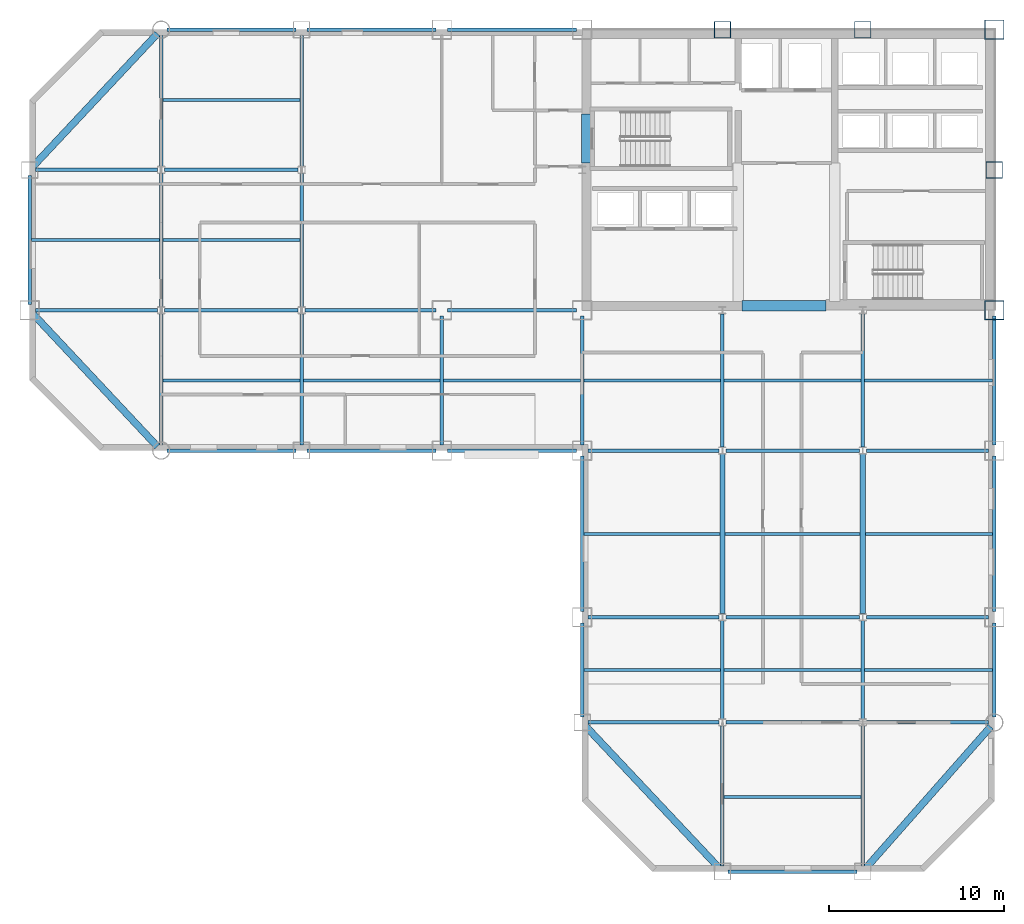
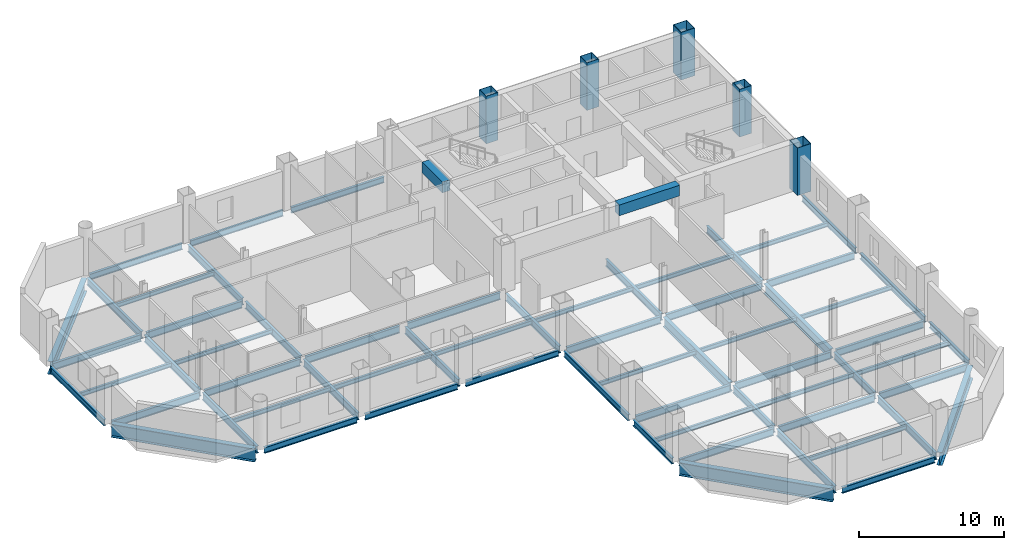
# One storey, part 4 of 10: 66 beams, 5 columns.
"""IFC4 building model written with IfcOpenShell, lengths in metres."""

from ifc_helpers import new_model, si_unit, direction, frame, origin, origin_2d, place, context, subcontext, project, spatial, rectangle, hollow_rectangle, i_section, extrude, material, material_profile, profile_set, type_object, element, save


model = new_model("IFC4")

# Units and contexts
model_context = context("Model", 3, precision=1e-05, world=origin(), true_north=direction((0.0, 1.0)))
body_context = subcontext(model_context, "Body", "Model", "MODEL_VIEW")
ifc_project = project(units=[si_unit("LENGTHUNIT", "METRE"), si_unit("AREAUNIT", "SQUARE_METRE"), si_unit("VOLUMEUNIT", "CUBIC_METRE"), si_unit("PLANEANGLEUNIT", "RADIAN"), si_unit("MASSUNIT", "GRAM", prefix="KILO")], contexts=[model_context])

# Site, building, storey
site_placement = place(None, origin())
site = spatial("IfcSite", under=ifc_project, at=site_placement, CompositionType="ELEMENT")
building_placement = place(site_placement, origin())
building = spatial("IfcBuilding", under=site, at=building_placement, Name="Qianrong Seaharbour Tower", CompositionType="ELEMENT")
storey_placement = place(building_placement, frame((0.0, 0.0, 139.0)))
storey = spatial("IfcBuildingStorey", under=building, at=storey_placement, Name="L33", CompositionType="ELEMENT", Elevation=139.0)

# Columns
ifc_material_1 = material(Name="Structural steel SN490B", Category="steel")
ifc_material_profile_1 = material_profile(ifc_material_1, hollow_rectangle(XDim=1.10009765625, YDim=1.10009765625, WallThickness=0.0400390625, at=origin_2d()), Name="BOX1100x1100x40")
ifc_profile_set_1 = profile_set([ifc_material_profile_1], Name="Structural steel SN490B")
column_type_1 = type_object("IfcColumnType", Name="COL-CFT-1100", PredefinedType="COLUMN", material=ifc_profile_set_1)
for number, where, z_axis, x_axis, name in (
    (1, (64.0, 36.0, 0.0), (0.0, 0.0, 1.0), (1.0, 0.0, 0.0), "L33 Column MC-3 at G9/GF"),
    (2, (64.0, 52.0, 0.0), (0.0, 0.0, 1.0), (1.0, 0.0, 0.0), "L33 Column MC-3 at G9/GH"),
):
    element("IfcColumn", number, at=place(storey_placement, frame(where, z_axis=z_axis, x_axis=x_axis)), inside=storey, type_object=column_type_1, Name=name, PredefinedType="COLUMN", context=body_context, shape_type="SweptSolid", body=[
        extrude(hollow_rectangle(XDim=1.10009765625, YDim=1.10009765625, WallThickness=0.0400390625, at=origin_2d()), origin(), (0.0, 0.0, 1.0), 4.0),
    ])
ifc_material_profile_2 = material_profile(ifc_material_1, hollow_rectangle(XDim=0.949951171875, YDim=0.949951171875, WallThickness=0.035888671875, at=origin_2d()), Name="BOX950x950x36")
ifc_profile_set_2 = profile_set([ifc_material_profile_2], Name="Structural steel SN490B")
column_type_2 = type_object("IfcColumnType", Name="COL-PER-950", PredefinedType="COLUMN", material=ifc_profile_set_2)
for number, where, z_axis, x_axis, name in (
    (3, (48.5, 52.0, 0.0), (0.0, 0.0, 1.0), (1.0, 0.0, 0.0), "L33 Column PC-2 at G7/GH"),
    (4, (56.5, 52.0, 0.0), (0.0, 0.0, 1.0), (1.0, 0.0, 0.0), "L33 Column PC-2 at G8/GH"),
    (5, (64.0, 44.0, 0.0), (0.0, 0.0, 1.0), (1.0, 0.0, 0.0), "L33 Column PC-2 at G9/GG"),
):
    element("IfcColumn", number, at=place(storey_placement, frame(where, z_axis=z_axis, x_axis=x_axis)), inside=storey, type_object=column_type_2, Name=name, PredefinedType="COLUMN", context=body_context, shape_type="SweptSolid", body=[
        extrude(hollow_rectangle(XDim=0.949951171875, YDim=0.949951171875, WallThickness=0.035888671875, at=origin_2d()), origin(), (0.0, 0.0, 1.0), 4.0),
    ])

# Beams
ifc_material_profile_3 = material_profile(ifc_material_1, i_section(OverallWidth=0.199951171875, OverallDepth=0.60009765625, WebThickness=0.010986328125, FlangeThickness=0.01708984375, FilletRadius=0.02197265625, at=origin_2d()), Name="H600x200x11x17")
ifc_profile_set_3 = profile_set([ifc_material_profile_3], Name="Structural steel SN490B")
beam_type_1 = type_object("IfcBeamType", Name="BM-G-600", PredefinedType="BEAM", material=ifc_profile_set_3)
beam_1_placement = place(storey_placement, frame((40.820068359375, 12.5, -0.534912109375), z_axis=(1.0, 0.0, 0.0), x_axis=(0.0, 1.0, 0.0)))
element("IfcBeam", 6, at=beam_1_placement, inside=storey, type_object=beam_type_1, Name="L33 Primary Girder GC G6-G7", PredefinedType="BEAM", context=body_context, shape_type="SweptSolid", body=[
    extrude(i_section(OverallWidth=0.199951171875, OverallDepth=0.60009765625, WebThickness=0.010986328125, FlangeThickness=0.01708984375, FilletRadius=0.02197265625, at=origin_2d()), origin(), (0.0, 0.0, 1.0), 7.47998046875),
])
beam_2_placement = place(storey_placement, frame((48.699951171875, 12.5, -0.534912109375), z_axis=(1.0, 0.0, 0.0), x_axis=(0.0, 1.0, 0.0)))
element("IfcBeam", 7, at=beam_2_placement, inside=storey, type_object=beam_type_1, Name="L33 Primary Girder GC G7-G8", PredefinedType="BEAM", context=body_context, shape_type="SweptSolid", body=[
    extrude(i_section(OverallWidth=0.199951171875, OverallDepth=0.60009765625, WebThickness=0.010986328125, FlangeThickness=0.01708984375, FilletRadius=0.02197265625, at=origin_2d()), origin(), (0.0, 0.0, 1.0), 7.60009765625),
])
beam_3_placement = place(storey_placement, frame((56.699951171875, 12.5, -0.534912109375), z_axis=(1.0, 0.0, 0.0), x_axis=(0.0, 1.0, 0.0)))
element("IfcBeam", 8, at=beam_3_placement, inside=storey, type_object=beam_type_1, Name="L33 Primary Girder GC G8-G9", PredefinedType="BEAM", context=body_context, shape_type="SweptSolid", body=[
    extrude(i_section(OverallWidth=0.199951171875, OverallDepth=0.60009765625, WebThickness=0.010986328125, FlangeThickness=0.01708984375, FilletRadius=0.02197265625, at=origin_2d()), origin(), (0.0, 0.0, 1.0), 6.97998046875),
])
beam_4_placement = place(storey_placement, frame((40.820068359375, 18.5, -0.534912109375), z_axis=(1.0, 0.0, 0.0), x_axis=(0.0, 1.0, 0.0)))
element("IfcBeam", 9, at=beam_4_placement, inside=storey, type_object=beam_type_1, Name="L33 Primary Girder GD G6-G7", PredefinedType="BEAM", context=body_context, shape_type="SweptSolid", body=[
    extrude(i_section(OverallWidth=0.199951171875, OverallDepth=0.60009765625, WebThickness=0.010986328125, FlangeThickness=0.01708984375, FilletRadius=0.02197265625, at=origin_2d()), origin(), (0.0, 0.0, 1.0), 7.47998046875),
])
beam_5_placement = place(storey_placement, frame((48.699951171875, 18.5, -0.534912109375), z_axis=(1.0, 0.0, 0.0), x_axis=(0.0, 1.0, 0.0)))
element("IfcBeam", 10, at=beam_5_placement, inside=storey, type_object=beam_type_1, Name="L33 Primary Girder GD G7-G8", PredefinedType="BEAM", context=body_context, shape_type="SweptSolid", body=[
    extrude(i_section(OverallWidth=0.199951171875, OverallDepth=0.60009765625, WebThickness=0.010986328125, FlangeThickness=0.01708984375, FilletRadius=0.02197265625, at=origin_2d()), origin(), (0.0, 0.0, 1.0), 7.60009765625),
])
beam_6_placement = place(storey_placement, frame((56.699951171875, 18.5, -0.534912109375), z_axis=(1.0, 0.0, 0.0), x_axis=(0.0, 1.0, 0.0)))
element("IfcBeam", 11, at=beam_6_placement, inside=storey, type_object=beam_type_1, Name="L33 Primary Girder GD G8-G9", PredefinedType="BEAM", context=body_context, shape_type="SweptSolid", body=[
    extrude(i_section(OverallWidth=0.199951171875, OverallDepth=0.60009765625, WebThickness=0.010986328125, FlangeThickness=0.01708984375, FilletRadius=0.02197265625, at=origin_2d()), origin(), (0.0, 0.0, 1.0), 6.97998046875),
])
beam_7_placement = place(storey_placement, frame((40.820068359375, 28.0, -0.534912109375), z_axis=(1.0, 0.0, 0.0), x_axis=(0.0, 1.0, 0.0)))
element("IfcBeam", 12, at=beam_7_placement, inside=storey, type_object=beam_type_1, Name="L33 Primary Girder GE G6-G7", PredefinedType="BEAM", context=body_context, shape_type="SweptSolid", body=[
    extrude(i_section(OverallWidth=0.199951171875, OverallDepth=0.60009765625, WebThickness=0.010986328125, FlangeThickness=0.01708984375, FilletRadius=0.02197265625, at=origin_2d()), origin(), (0.0, 0.0, 1.0), 7.47998046875),
])
beam_8_placement = place(storey_placement, frame((48.699951171875, 28.0, -0.534912109375), z_axis=(1.0, 0.0, 0.0), x_axis=(0.0, 1.0, 0.0)))
element("IfcBeam", 13, at=beam_8_placement, inside=storey, type_object=beam_type_1, Name="L33 Primary Girder GE G7-G8", PredefinedType="BEAM", context=body_context, shape_type="SweptSolid", body=[
    extrude(i_section(OverallWidth=0.199951171875, OverallDepth=0.60009765625, WebThickness=0.010986328125, FlangeThickness=0.01708984375, FilletRadius=0.02197265625, at=origin_2d()), origin(), (0.0, 0.0, 1.0), 7.60009765625),
])
for number, where, z_axis, x_axis, name in (
    (14, (56.699951171875, 28.0, -0.534912109375), (1.0, 0.0, 0.0), (0.0, 1.0, 0.0), "L33 Primary Girder GE G8-G9"),
    (15, (9.320068359375, 36.0, -0.534912109375), (1.0, 0.0, 0.0), (0.0, 1.0, 0.0), "L33 Primary Girder GF G2-G3"),
):
    element("IfcBeam", number, at=place(storey_placement, frame(where, z_axis=z_axis, x_axis=x_axis)), inside=storey, type_object=beam_type_1, Name=name, PredefinedType="BEAM", context=body_context, shape_type="SweptSolid", body=[
        extrude(i_section(OverallWidth=0.199951171875, OverallDepth=0.60009765625, WebThickness=0.010986328125, FlangeThickness=0.01708984375, FilletRadius=0.02197265625, at=origin_2d()), origin(), (0.0, 0.0, 1.0), 6.97998046875),
    ])
beam_9_placement = place(storey_placement, frame((16.699951171875, 36.0, -0.534912109375), z_axis=(1.0, 0.0, 0.0), x_axis=(0.0, 1.0, 0.0)))
element("IfcBeam", 16, at=beam_9_placement, inside=storey, type_object=beam_type_1, Name="L33 Primary Girder GF G3-G4", PredefinedType="BEAM", context=body_context, shape_type="SweptSolid", body=[
    extrude(i_section(OverallWidth=0.199951171875, OverallDepth=0.60009765625, WebThickness=0.010986328125, FlangeThickness=0.01708984375, FilletRadius=0.02197265625, at=origin_2d()), origin(), (0.0, 0.0, 1.0), 7.60009765625),
])
beam_10_placement = place(storey_placement, frame((24.699951171875, 36.0, -0.534912109375), z_axis=(1.0, 0.0, 0.0), x_axis=(0.0, 1.0, 0.0)))
element("IfcBeam", 17, at=beam_10_placement, inside=storey, type_object=beam_type_1, Name="L33 Primary Girder GF G4-G5", PredefinedType="BEAM", context=body_context, shape_type="SweptSolid", body=[
    extrude(i_section(OverallWidth=0.199951171875, OverallDepth=0.60009765625, WebThickness=0.010986328125, FlangeThickness=0.01708984375, FilletRadius=0.02197265625, at=origin_2d()), origin(), (0.0, 0.0, 1.0), 7.47998046875),
])
beam_11_placement = place(storey_placement, frame((32.820068359375, 36.0, -0.534912109375), z_axis=(1.0, 0.0, 0.0), x_axis=(0.0, 1.0, 0.0)))
element("IfcBeam", 18, at=beam_11_placement, inside=storey, type_object=beam_type_1, Name="L33 Primary Girder GF G5-G6", PredefinedType="BEAM", context=body_context, shape_type="SweptSolid", body=[
    extrude(i_section(OverallWidth=0.199951171875, OverallDepth=0.60009765625, WebThickness=0.010986328125, FlangeThickness=0.01708984375, FilletRadius=0.02197265625, at=origin_2d()), origin(), (0.0, 0.0, 1.0), 7.35986328125),
])
beam_12_placement = place(storey_placement, frame((9.320068359375, 44.0, -0.534912109375), z_axis=(1.0, 0.0, 0.0), x_axis=(0.0, 1.0, 0.0)))
element("IfcBeam", 19, at=beam_12_placement, inside=storey, type_object=beam_type_1, Name="L33 Primary Girder GG G2-G3", PredefinedType="BEAM", context=body_context, shape_type="SweptSolid", body=[
    extrude(i_section(OverallWidth=0.199951171875, OverallDepth=0.60009765625, WebThickness=0.010986328125, FlangeThickness=0.01708984375, FilletRadius=0.02197265625, at=origin_2d()), origin(), (0.0, 0.0, 1.0), 6.97998046875),
])
beam_13_placement = place(storey_placement, frame((16.699951171875, 44.0, -0.534912109375), z_axis=(1.0, 0.0, 0.0), x_axis=(0.0, 1.0, 0.0)))
element("IfcBeam", 20, at=beam_13_placement, inside=storey, type_object=beam_type_1, Name="L33 Primary Girder GG G3-G4", PredefinedType="BEAM", context=body_context, shape_type="SweptSolid", body=[
    extrude(i_section(OverallWidth=0.199951171875, OverallDepth=0.60009765625, WebThickness=0.010986328125, FlangeThickness=0.01708984375, FilletRadius=0.02197265625, at=origin_2d()), origin(), (0.0, 0.0, 1.0), 7.60009765625),
])
beam_14_placement = place(storey_placement, frame((16.5, 28.320068359375, -0.534912109375), z_axis=(0.0, 1.0, 0.0), x_axis=(-1.0, 0.0, 0.0)))
element("IfcBeam", 21, at=beam_14_placement, inside=storey, type_object=beam_type_1, Name="L33 Primary Girder G3 GE-GF", PredefinedType="BEAM", context=body_context, shape_type="SweptSolid", body=[
    extrude(i_section(OverallWidth=0.199951171875, OverallDepth=0.60009765625, WebThickness=0.010986328125, FlangeThickness=0.01708984375, FilletRadius=0.02197265625, at=origin_2d()), origin(), (0.0, 0.0, 1.0), 7.47998046875),
])
beam_15_placement = place(storey_placement, frame((16.5, 36.199951171875, -0.534912109375), z_axis=(0.0, 1.0, 0.0), x_axis=(-1.0, 0.0, 0.0)))
element("IfcBeam", 22, at=beam_15_placement, inside=storey, type_object=beam_type_1, Name="L33 Primary Girder G3 GF-GG", PredefinedType="BEAM", context=body_context, shape_type="SweptSolid", body=[
    extrude(i_section(OverallWidth=0.199951171875, OverallDepth=0.60009765625, WebThickness=0.010986328125, FlangeThickness=0.01708984375, FilletRadius=0.02197265625, at=origin_2d()), origin(), (0.0, 0.0, 1.0), 7.60009765625),
])
for number, where, z_axis, x_axis, name in (
    (23, (16.5, 44.199951171875, -0.534912109375), (0.0, 1.0, 0.0), (-1.0, 0.0, 0.0), "L33 Primary Girder G3 GG-GH"),
    (24, (24.5, 28.320068359375, -0.534912109375), (0.0, 1.0, 0.0), (-1.0, 0.0, 0.0), "L33 Primary Girder G4 GE-GF"),
):
    element("IfcBeam", number, at=place(storey_placement, frame(where, z_axis=z_axis, x_axis=x_axis)), inside=storey, type_object=beam_type_1, Name=name, PredefinedType="BEAM", context=body_context, shape_type="SweptSolid", body=[
        extrude(i_section(OverallWidth=0.199951171875, OverallDepth=0.60009765625, WebThickness=0.010986328125, FlangeThickness=0.01708984375, FilletRadius=0.02197265625, at=origin_2d()), origin(), (0.0, 0.0, 1.0), 7.47998046875),
    ])
beam_16_placement = place(storey_placement, frame((24.5, 36.199951171875, -0.534912109375), z_axis=(0.0, 1.0, 0.0), x_axis=(-1.0, 0.0, 0.0)))
element("IfcBeam", 25, at=beam_16_placement, inside=storey, type_object=beam_type_1, Name="L33 Primary Girder G4 GF-GG", PredefinedType="BEAM", context=body_context, shape_type="SweptSolid", body=[
    extrude(i_section(OverallWidth=0.199951171875, OverallDepth=0.60009765625, WebThickness=0.010986328125, FlangeThickness=0.01708984375, FilletRadius=0.02197265625, at=origin_2d()), origin(), (0.0, 0.0, 1.0), 7.60009765625),
])
beam_17_placement = place(storey_placement, frame((24.5, 44.199951171875, -0.534912109375), z_axis=(0.0, 1.0, 0.0), x_axis=(-1.0, 0.0, 0.0)))
element("IfcBeam", 26, at=beam_17_placement, inside=storey, type_object=beam_type_1, Name="L33 Primary Girder G4 GG-GH", PredefinedType="BEAM", context=body_context, shape_type="SweptSolid", body=[
    extrude(i_section(OverallWidth=0.199951171875, OverallDepth=0.60009765625, WebThickness=0.010986328125, FlangeThickness=0.01708984375, FilletRadius=0.02197265625, at=origin_2d()), origin(), (0.0, 0.0, 1.0), 7.47998046875),
])
for number, where, z_axis, x_axis, name in (
    (27, (32.5, 28.320068359375, -0.534912109375), (0.0, 1.0, 0.0), (-1.0, 0.0, 0.0), "L33 Primary Girder G5 GE-GF"),
    (28, (40.5, 28.320068359375, -0.534912109375), (0.0, 1.0, 0.0), (-1.0, 0.0, 0.0), "L33 Primary Girder G6 GE-GF"),
):
    element("IfcBeam", number, at=place(storey_placement, frame(where, z_axis=z_axis, x_axis=x_axis)), inside=storey, type_object=beam_type_1, Name=name, PredefinedType="BEAM", context=body_context, shape_type="SweptSolid", body=[
        extrude(i_section(OverallWidth=0.199951171875, OverallDepth=0.60009765625, WebThickness=0.010986328125, FlangeThickness=0.01708984375, FilletRadius=0.02197265625, at=origin_2d()), origin(), (0.0, 0.0, 1.0), 7.35986328125),
    ])
beam_18_placement = place(storey_placement, frame((48.5, 4.320068359375, -0.534912109375), z_axis=(0.0, 1.0, 0.0), x_axis=(-1.0, 0.0, 0.0)))
element("IfcBeam", 29, at=beam_18_placement, inside=storey, type_object=beam_type_1, Name="L33 Primary Girder G7 GB-GC", PredefinedType="BEAM", context=body_context, shape_type="SweptSolid", body=[
    extrude(i_section(OverallWidth=0.199951171875, OverallDepth=0.60009765625, WebThickness=0.010986328125, FlangeThickness=0.01708984375, FilletRadius=0.02197265625, at=origin_2d()), origin(), (0.0, 0.0, 1.0), 7.97998046875),
])
beam_19_placement = place(storey_placement, frame((48.5, 12.699951171875, -0.534912109375), z_axis=(0.0, 1.0, 0.0), x_axis=(-1.0, 0.0, 0.0)))
element("IfcBeam", 30, at=beam_19_placement, inside=storey, type_object=beam_type_1, Name="L33 Primary Girder G7 GC-GD", PredefinedType="BEAM", context=body_context, shape_type="SweptSolid", body=[
    extrude(i_section(OverallWidth=0.199951171875, OverallDepth=0.60009765625, WebThickness=0.010986328125, FlangeThickness=0.01708984375, FilletRadius=0.02197265625, at=origin_2d()), origin(), (0.0, 0.0, 1.0), 5.60009765625),
])
beam_20_placement = place(storey_placement, frame((48.5, 28.199951171875, -0.534912109375), z_axis=(0.0, 1.0, 0.0), x_axis=(-1.0, 0.0, 0.0)))
element("IfcBeam", 31, at=beam_20_placement, inside=storey, type_object=beam_type_1, Name="L33 Primary Girder G7 GE-GF", PredefinedType="BEAM", context=body_context, shape_type="SweptSolid", body=[
    extrude(i_section(OverallWidth=0.199951171875, OverallDepth=0.60009765625, WebThickness=0.010986328125, FlangeThickness=0.01708984375, FilletRadius=0.02197265625, at=origin_2d()), origin(), (0.0, 0.0, 1.0), 7.60009765625),
])
beam_21_placement = place(storey_placement, frame((56.5, 4.320068359375, -0.534912109375), z_axis=(0.0, 1.0, 0.0), x_axis=(-1.0, 0.0, 0.0)))
element("IfcBeam", 32, at=beam_21_placement, inside=storey, type_object=beam_type_1, Name="L33 Primary Girder G8 GB-GC", PredefinedType="BEAM", context=body_context, shape_type="SweptSolid", body=[
    extrude(i_section(OverallWidth=0.199951171875, OverallDepth=0.60009765625, WebThickness=0.010986328125, FlangeThickness=0.01708984375, FilletRadius=0.02197265625, at=origin_2d()), origin(), (0.0, 0.0, 1.0), 7.97998046875),
])
beam_22_placement = place(storey_placement, frame((56.5, 12.699951171875, -0.534912109375), z_axis=(0.0, 1.0, 0.0), x_axis=(-1.0, 0.0, 0.0)))
element("IfcBeam", 33, at=beam_22_placement, inside=storey, type_object=beam_type_1, Name="L33 Primary Girder G8 GC-GD", PredefinedType="BEAM", context=body_context, shape_type="SweptSolid", body=[
    extrude(i_section(OverallWidth=0.199951171875, OverallDepth=0.60009765625, WebThickness=0.010986328125, FlangeThickness=0.01708984375, FilletRadius=0.02197265625, at=origin_2d()), origin(), (0.0, 0.0, 1.0), 5.60009765625),
])
beam_23_placement = place(storey_placement, frame((56.5, 28.199951171875, -0.534912109375), z_axis=(0.0, 1.0, 0.0), x_axis=(-1.0, 0.0, 0.0)))
element("IfcBeam", 34, at=beam_23_placement, inside=storey, type_object=beam_type_1, Name="L33 Primary Girder G8 GE-GF", PredefinedType="BEAM", context=body_context, shape_type="SweptSolid", body=[
    extrude(i_section(OverallWidth=0.199951171875, OverallDepth=0.60009765625, WebThickness=0.010986328125, FlangeThickness=0.01708984375, FilletRadius=0.02197265625, at=origin_2d()), origin(), (0.0, 0.0, 1.0), 7.60009765625),
])
ifc_material_profile_4 = material_profile(ifc_material_1, i_section(OverallWidth=0.300048828125, OverallDepth=0.800048828125, WebThickness=0.013916015625, FlangeThickness=0.02587890625, FilletRadius=0.028076171875, at=origin_2d()), Name="H800x300x14x26")
ifc_profile_set_4 = profile_set([ifc_material_profile_4], Name="Structural steel SN490B")
beam_type_2 = type_object("IfcBeamType", Name="BM-G-800", PredefinedType="BEAM", material=ifc_profile_set_4)
for number, where, z_axis, x_axis, name in (
    (35, (48.5, 18.699951171875, -0.635009765625), (0.0, 1.0, 0.0), (-1.0, 0.0, 0.0), "L33 Primary Girder G7 GD-GE"),
    (36, (56.5, 18.699951171875, -0.635009765625), (0.0, 1.0, 0.0), (-1.0, 0.0, 0.0), "L33 Primary Girder G8 GD-GE"),
):
    element("IfcBeam", number, at=place(storey_placement, frame(where, z_axis=z_axis, x_axis=x_axis)), inside=storey, type_object=beam_type_2, Name=name, PredefinedType="BEAM", context=body_context, shape_type="SweptSolid", body=[
        extrude(i_section(OverallWidth=0.300048828125, OverallDepth=0.800048828125, WebThickness=0.013916015625, FlangeThickness=0.02587890625, FilletRadius=0.028076171875, at=origin_2d()), origin(), (0.0, 0.0, 1.0), 9.10009765625),
    ])
ifc_material_2 = material(Name="Structural steel SN400B", Category="steel")
ifc_material_profile_5 = material_profile(ifc_material_2, i_section(OverallWidth=0.175048828125, OverallDepth=0.35009765625, WebThickness=0.007080078125, FlangeThickness=0.010986328125, FilletRadius=0.013916015625, at=origin_2d()), Name="H350x175x7x11")
ifc_profile_set_5 = profile_set([ifc_material_profile_5], Name="Structural steel SN400B")
beam_type_3 = type_object("IfcBeamType", Name="BM-J-350", PredefinedType="JOIST", material=ifc_profile_set_5)
beam_24_placement = place(storey_placement, frame((9.10009765625, 40.0, -0.409912109375), z_axis=(1.0, 0.0, 0.0), x_axis=(0.0, 1.0, 0.0)))
element("IfcBeam", 37, at=beam_24_placement, inside=storey, type_object=beam_type_3, Name="L33 Composite Floor Joist G2-G3/GF-GG", PredefinedType="JOIST", context=body_context, shape_type="SweptSolid", body=[
    extrude(i_section(OverallWidth=0.175048828125, OverallDepth=0.35009765625, WebThickness=0.007080078125, FlangeThickness=0.010986328125, FilletRadius=0.013916015625, at=origin_2d()), origin(), (0.0, 0.0, 1.0), 7.2998046875),
])
for number, where, z_axis, x_axis, name in (
    (38, (16.60009765625, 32.0, -0.409912109375), (1.0, 0.0, 0.0), (0.0, 1.0, 0.0), "L33 Composite Floor Joist G3-G4/GE-GF"),
    (39, (16.60009765625, 40.0, -0.409912109375), (1.0, 0.0, 0.0), (0.0, 1.0, 0.0), "L33 Composite Floor Joist G3-G4/GF-GG"),
    (40, (16.60009765625, 48.0, -0.409912109375), (1.0, 0.0, 0.0), (0.0, 1.0, 0.0), "L33 Composite Floor Joist G3-G4/GG-GH"),
    (41, (24.60009765625, 32.0, -0.409912109375), (1.0, 0.0, 0.0), (0.0, 1.0, 0.0), "L33 Composite Floor Joist G4-G5/GE-GF"),
    (42, (32.60009765625, 32.0, -0.409912109375), (1.0, 0.0, 0.0), (0.0, 1.0, 0.0), "L33 Composite Floor Joist G5-G6/GE-GF"),
    (43, (40.60009765625, 15.5, -0.409912109375), (1.0, 0.0, 0.0), (0.0, 1.0, 0.0), "L33 Composite Floor Joist G6-G7/GC-GD"),
):
    element("IfcBeam", number, at=place(storey_placement, frame(where, z_axis=z_axis, x_axis=x_axis)), inside=storey, type_object=beam_type_3, Name=name, PredefinedType="JOIST", context=body_context, shape_type="SweptSolid", body=[
        extrude(i_section(OverallWidth=0.175048828125, OverallDepth=0.35009765625, WebThickness=0.007080078125, FlangeThickness=0.010986328125, FilletRadius=0.013916015625, at=origin_2d()), origin(), (0.0, 0.0, 1.0), 7.7998046875),
    ])
beam_25_placement = place(storey_placement, frame((40.60009765625, 23.25, -0.409912109375), z_axis=(1.0, 0.0, 0.0), x_axis=(0.0, 1.0, 0.0)))
element("IfcBeam", 44, at=beam_25_placement, inside=storey, type_object=beam_type_3, Name="L33 Composite Floor Joist G6-G7/GD-GE", PredefinedType="JOIST", context=body_context, shape_type="SweptSolid", body=[
    extrude(i_section(OverallWidth=0.175048828125, OverallDepth=0.35009765625, WebThickness=0.007080078125, FlangeThickness=0.010986328125, FilletRadius=0.013916015625, at=origin_2d()), origin(), (0.0, 0.0, 1.0), 7.75),
])
for number, where, z_axis, x_axis, name in (
    (45, (40.60009765625, 32.0, -0.409912109375), (1.0, 0.0, 0.0), (0.0, 1.0, 0.0), "L33 Composite Floor Joist G6-G7/GE-GF"),
    (46, (48.60009765625, 8.25, -0.409912109375), (1.0, 0.0, 0.0), (0.0, 1.0, 0.0), "L33 Composite Floor Joist G7-G8/GB-GC"),
    (47, (48.60009765625, 15.5, -0.409912109375), (1.0, 0.0, 0.0), (0.0, 1.0, 0.0), "L33 Composite Floor Joist G7-G8/GC-GD"),
):
    element("IfcBeam", number, at=place(storey_placement, frame(where, z_axis=z_axis, x_axis=x_axis)), inside=storey, type_object=beam_type_3, Name=name, PredefinedType="JOIST", context=body_context, shape_type="SweptSolid", body=[
        extrude(i_section(OverallWidth=0.175048828125, OverallDepth=0.35009765625, WebThickness=0.007080078125, FlangeThickness=0.010986328125, FilletRadius=0.013916015625, at=origin_2d()), origin(), (0.0, 0.0, 1.0), 7.7998046875),
    ])
beam_26_placement = place(storey_placement, frame((48.64990234375, 23.25, -0.409912109375), z_axis=(1.0, 0.0, 0.0), x_axis=(0.0, 1.0, 0.0)))
element("IfcBeam", 48, at=beam_26_placement, inside=storey, type_object=beam_type_3, Name="L33 Composite Floor Joist G7-G8/GD-GE", PredefinedType="JOIST", context=body_context, shape_type="SweptSolid", body=[
    extrude(i_section(OverallWidth=0.175048828125, OverallDepth=0.35009765625, WebThickness=0.007080078125, FlangeThickness=0.010986328125, FilletRadius=0.013916015625, at=origin_2d()), origin(), (0.0, 0.0, 1.0), 7.7001953125),
])
beam_27_placement = place(storey_placement, frame((48.60009765625, 32.0, -0.409912109375), z_axis=(1.0, 0.0, 0.0), x_axis=(0.0, 1.0, 0.0)))
element("IfcBeam", 49, at=beam_27_placement, inside=storey, type_object=beam_type_3, Name="L33 Composite Floor Joist G7-G8/GE-GF", PredefinedType="JOIST", context=body_context, shape_type="SweptSolid", body=[
    extrude(i_section(OverallWidth=0.175048828125, OverallDepth=0.35009765625, WebThickness=0.007080078125, FlangeThickness=0.010986328125, FilletRadius=0.013916015625, at=origin_2d()), origin(), (0.0, 0.0, 1.0), 7.7998046875),
])
beam_28_placement = place(storey_placement, frame((56.60009765625, 15.5, -0.409912109375), z_axis=(1.0, 0.0, 0.0), x_axis=(0.0, 1.0, 0.0)))
element("IfcBeam", 50, at=beam_28_placement, inside=storey, type_object=beam_type_3, Name="L33 Composite Floor Joist G8-G9/GC-GD", PredefinedType="JOIST", context=body_context, shape_type="SweptSolid", body=[
    extrude(i_section(OverallWidth=0.175048828125, OverallDepth=0.35009765625, WebThickness=0.007080078125, FlangeThickness=0.010986328125, FilletRadius=0.013916015625, at=origin_2d()), origin(), (0.0, 0.0, 1.0), 7.2998046875),
])
beam_29_placement = place(storey_placement, frame((56.64990234375, 23.25, -0.409912109375), z_axis=(1.0, 0.0, 0.0), x_axis=(0.0, 1.0, 0.0)))
element("IfcBeam", 51, at=beam_29_placement, inside=storey, type_object=beam_type_3, Name="L33 Composite Floor Joist G8-G9/GD-GE", PredefinedType="JOIST", context=body_context, shape_type="SweptSolid", body=[
    extrude(i_section(OverallWidth=0.175048828125, OverallDepth=0.35009765625, WebThickness=0.007080078125, FlangeThickness=0.010986328125, FilletRadius=0.013916015625, at=origin_2d()), origin(), (0.0, 0.0, 1.0), 7.25),
])
beam_30_placement = place(storey_placement, frame((56.60009765625, 32.0, -0.409912109375), z_axis=(1.0, 0.0, 0.0), x_axis=(0.0, 1.0, 0.0)))
element("IfcBeam", 52, at=beam_30_placement, inside=storey, type_object=beam_type_3, Name="L33 Composite Floor Joist G8-G9/GE-GF", PredefinedType="JOIST", context=body_context, shape_type="SweptSolid", body=[
    extrude(i_section(OverallWidth=0.175048828125, OverallDepth=0.35009765625, WebThickness=0.007080078125, FlangeThickness=0.010986328125, FilletRadius=0.013916015625, at=origin_2d()), origin(), (0.0, 0.0, 1.0), 7.2998046875),
])
ifc_material_3 = material(Name="Concrete C70/85", Category="concrete")
ifc_material_profile_6 = material_profile(ifc_material_3, rectangle(XDim=0.60009765625, YDim=0.89990234375, at=origin_2d()), Name="RC600x900")
ifc_profile_set_6 = profile_set([ifc_material_profile_6], Name="Concrete C70/85")
beam_type_4 = type_object("IfcBeamType", Name="BM-LINTEL-900", PredefinedType="LINTEL", material=ifc_profile_set_6)
beam_31_placement = place(storey_placement, frame((40.75, 44.39990234375, 3.31494140625), z_axis=(0.0, 1.0, 0.0), x_axis=(-1.0, 0.0, 0.0)))
element("IfcBeam", 53, at=beam_31_placement, inside=storey, type_object=beam_type_4, Name="L33 Core Coupling Lintel Beam West", PredefinedType="LINTEL", context=body_context, shape_type="SweptSolid", body=[
    extrude(rectangle(XDim=0.60009765625, YDim=0.89990234375, at=origin_2d()), origin(), (0.0, 0.0, 1.0), 2.800048828125),
])
beam_32_placement = place(storey_placement, frame((49.60009765625, 36.25, 3.31494140625), z_axis=(1.0, 0.0, 0.0), x_axis=(0.0, 1.0, 0.0)))
element("IfcBeam", 54, at=beam_32_placement, inside=storey, type_object=beam_type_4, Name="L33 Core Coupling Lintel Beam CBC", PredefinedType="LINTEL", context=body_context, shape_type="SweptSolid", body=[
    extrude(rectangle(XDim=0.60009765625, YDim=0.89990234375, at=origin_2d()), origin(), (0.0, 0.0, 1.0), 4.7998046875),
])
ifc_material_profile_7 = material_profile(ifc_material_1, i_section(OverallWidth=0.199951171875, OverallDepth=0.5, WebThickness=0.010009765625, FlangeThickness=0.01611328125, FilletRadius=0.02001953125, at=origin_2d()), Name="H500x200x10x16")
ifc_profile_set_7 = profile_set([ifc_material_profile_7], Name="Structural steel SN490B")
beam_type_5 = type_object("IfcBeamType", Name="BM-SP-500", PredefinedType="SPANDREL", material=ifc_profile_set_7)
for number, where, z_axis, x_axis, name in (
    (55, (48.820068359375, 4.0, -0.485107421875), (1.0, 0.0, 0.0), (0.0, 1.0, 0.0), "L33 Spandrel Girder GB G7-G8"),
    (56, (16.820068359375, 28.0, -0.485107421875), (1.0, 0.0, 0.0), (0.0, 1.0, 0.0), "L33 Spandrel Girder GE G3-G4"),
    (57, (24.820068359375, 28.0, -0.485107421875), (1.0, 0.0, 0.0), (0.0, 1.0, 0.0), "L33 Spandrel Girder GE G4-G5"),
    (58, (32.820068359375, 28.0, -0.485107421875), (1.0, 0.0, 0.0), (0.0, 1.0, 0.0), "L33 Spandrel Girder GE G5-G6"),
    (59, (16.820068359375, 52.0, -0.485107421875), (1.0, 0.0, 0.0), (0.0, 1.0, 0.0), "L33 Spandrel Girder GH G3-G4"),
    (60, (24.820068359375, 52.0, -0.485107421875), (1.0, 0.0, 0.0), (0.0, 1.0, 0.0), "L33 Spandrel Girder GH G4-G5"),
    (61, (32.820068359375, 52.0, -0.485107421875), (1.0, 0.0, 0.0), (0.0, 1.0, 0.0), "L33 Spandrel Girder GH G5-G6"),
    (62, (9.0, 36.320068359375, -0.485107421875), (0.0, 1.0, 0.0), (-1.0, 0.0, 0.0), "L33 Spandrel Girder G2 GF-GG"),
):
    element("IfcBeam", number, at=place(storey_placement, frame(where, z_axis=z_axis, x_axis=x_axis)), inside=storey, type_object=beam_type_5, Name=name, PredefinedType="SPANDREL", context=body_context, shape_type="SweptSolid", body=[
        extrude(i_section(OverallWidth=0.199951171875, OverallDepth=0.5, WebThickness=0.010009765625, FlangeThickness=0.01611328125, FilletRadius=0.02001953125, at=origin_2d()), origin(), (0.0, 0.0, 1.0), 7.35986328125),
    ])
beam_33_placement = place(storey_placement, frame((40.5, 12.820068359375, -0.485107421875), z_axis=(0.0, 1.0, 0.0), x_axis=(-1.0, 0.0, 0.0)))
element("IfcBeam", 63, at=beam_33_placement, inside=storey, type_object=beam_type_5, Name="L33 Spandrel Girder G6 GC-GD", PredefinedType="SPANDREL", context=body_context, shape_type="SweptSolid", body=[
    extrude(i_section(OverallWidth=0.199951171875, OverallDepth=0.5, WebThickness=0.010009765625, FlangeThickness=0.01611328125, FilletRadius=0.02001953125, at=origin_2d()), origin(), (0.0, 0.0, 1.0), 5.35986328125),
])
beam_34_placement = place(storey_placement, frame((40.5, 18.820068359375, -0.485107421875), z_axis=(0.0, 1.0, 0.0), x_axis=(-1.0, 0.0, 0.0)))
element("IfcBeam", 64, at=beam_34_placement, inside=storey, type_object=beam_type_5, Name="L33 Spandrel Girder G6 GD-GE", PredefinedType="SPANDREL", context=body_context, shape_type="SweptSolid", body=[
    extrude(i_section(OverallWidth=0.199951171875, OverallDepth=0.5, WebThickness=0.010009765625, FlangeThickness=0.01611328125, FilletRadius=0.02001953125, at=origin_2d()), origin(), (0.0, 0.0, 1.0), 8.85986328125),
])
beam_35_placement = place(storey_placement, frame((64.0, 12.820068359375, -0.485107421875), z_axis=(0.0, 1.0, 0.0), x_axis=(-1.0, 0.0, 0.0)))
element("IfcBeam", 65, at=beam_35_placement, inside=storey, type_object=beam_type_5, Name="L33 Spandrel Girder G9 GC-GD", PredefinedType="SPANDREL", context=body_context, shape_type="SweptSolid", body=[
    extrude(i_section(OverallWidth=0.199951171875, OverallDepth=0.5, WebThickness=0.010009765625, FlangeThickness=0.01611328125, FilletRadius=0.02001953125, at=origin_2d()), origin(), (0.0, 0.0, 1.0), 5.35986328125),
])
beam_36_placement = place(storey_placement, frame((64.0, 18.820068359375, -0.485107421875), z_axis=(0.0, 1.0, 0.0), x_axis=(-1.0, 0.0, 0.0)))
element("IfcBeam", 66, at=beam_36_placement, inside=storey, type_object=beam_type_5, Name="L33 Spandrel Girder G9 GD-GE", PredefinedType="SPANDREL", context=body_context, shape_type="SweptSolid", body=[
    extrude(i_section(OverallWidth=0.199951171875, OverallDepth=0.5, WebThickness=0.010009765625, FlangeThickness=0.01611328125, FilletRadius=0.02001953125, at=origin_2d()), origin(), (0.0, 0.0, 1.0), 8.85986328125),
])
beam_37_placement = place(storey_placement, frame((64.0, 28.320068359375, -0.485107421875), z_axis=(0.0, 1.0, 0.0), x_axis=(-1.0, 0.0, 0.0)))
element("IfcBeam", 67, at=beam_37_placement, inside=storey, type_object=beam_type_5, Name="L33 Spandrel Girder G9 GE-GF", PredefinedType="SPANDREL", context=body_context, shape_type="SweptSolid", body=[
    extrude(i_section(OverallWidth=0.199951171875, OverallDepth=0.5, WebThickness=0.010009765625, FlangeThickness=0.01611328125, FilletRadius=0.02001953125, at=origin_2d()), origin(), (0.0, 0.0, 1.0), 7.35986328125),
])
ifc_material_profile_8 = material_profile(ifc_material_1, i_section(OverallWidth=0.39990234375, OverallDepth=1.10009765625, WebThickness=0.02001953125, FlangeThickness=0.035888671875, at=origin_2d()), Name="BH1100x400x20x36")
ifc_profile_set_8 = profile_set([ifc_material_profile_8], Name="Structural steel SN490B")
beam_type_6 = type_object("IfcBeamType", Name="BM-TG-1100", PredefinedType="BEAM", material=ifc_profile_set_8)
for number, where, z_axis, x_axis, name in (
    (68, (16.28125, 28.2333984375, -0.784912109375), (-0.683947420573, 0.729531305628, 0.0), (-0.729531305628, -0.683947420573, 0.0), "L33 Chamfer Corner Spandrel Girder G2/GE"),
    (69, (16.28125, 51.7666015625, -0.784912109375), (-0.683947420573, -0.729531305628, 0.0), (0.729531305628, -0.683947420573, 0.0), "L33 Chamfer Corner Spandrel Girder G2/GH"),
):
    element("IfcBeam", number, at=place(storey_placement, frame(where, z_axis=z_axis, x_axis=x_axis)), inside=storey, type_object=beam_type_6, Name=name, PredefinedType="BEAM", context=body_context, shape_type="SweptSolid", body=[
        extrude(i_section(OverallWidth=0.39990234375, OverallDepth=1.10009765625, WebThickness=0.02001953125, FlangeThickness=0.035888671875, at=origin_2d()), origin(), (0.0, 0.0, 1.0), 10.326171875),
    ])
beam_38_placement = place(storey_placement, frame((48.28076171875, 4.23291015625, -0.784912109375), z_axis=(-0.685361938021, 0.728202591256, 0.0), x_axis=(-0.728202591256, -0.685361938021, 0.0)))
element("IfcBeam", 70, at=beam_38_placement, inside=storey, type_object=beam_type_6, Name="L33 Chamfer Corner Spandrel Girder G6/GB", PredefinedType="BEAM", context=body_context, shape_type="SweptSolid", body=[
    extrude(i_section(OverallWidth=0.39990234375, OverallDepth=1.10009765625, WebThickness=0.02001953125, FlangeThickness=0.035888671875, at=origin_2d()), origin(), (0.0, 0.0, 1.0), 11.032958984375),
])
beam_39_placement = place(storey_placement, frame((56.711669921875, 4.239990234375, -0.784912109375), z_axis=(0.661630696334, 0.749829861815, 0.0), x_axis=(-0.749829861815, 0.661630696334, 0.0)))
element("IfcBeam", 71, at=beam_39_placement, inside=storey, type_object=beam_type_6, Name="L33 Chamfer Corner Spandrel Girder G9/GB", PredefinedType="BEAM", context=body_context, shape_type="SweptSolid", body=[
    extrude(i_section(OverallWidth=0.39990234375, OverallDepth=1.10009765625, WebThickness=0.02001953125, FlangeThickness=0.035888671875, at=origin_2d()), origin(), (0.0, 0.0, 1.0), 10.69580078125),
])

save(model, "model.ifc")
